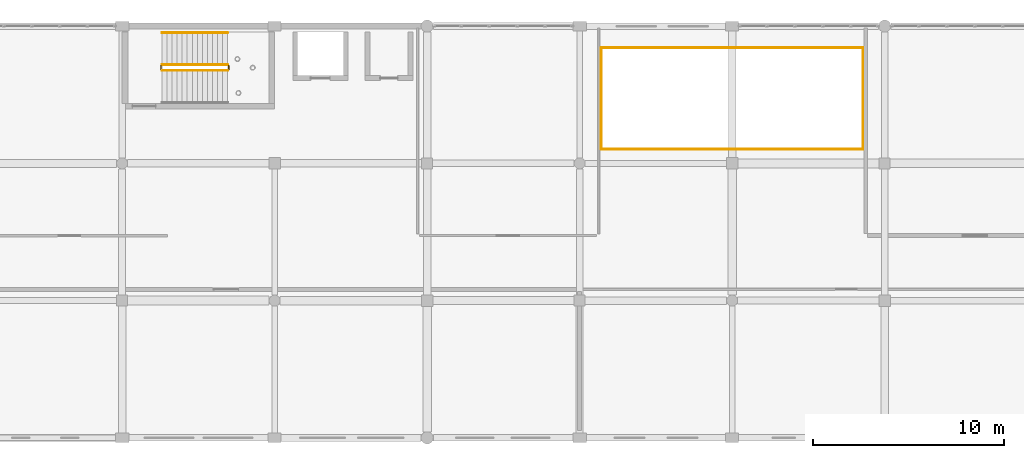
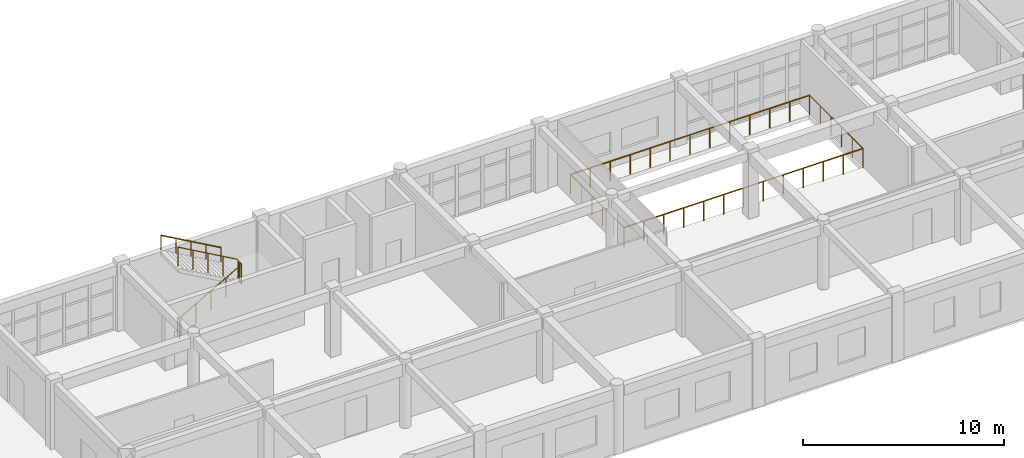
# One storey, part 49 of 53: 9 railings.
"""IFC4 building model written with IfcOpenShell, lengths in metres."""

from ifc_helpers import new_model, si_unit, direction, frame, origin, origin_2d, place, context, subcontext, project, spatial, circle, extrude, material, type_object, element, save


model = new_model("IFC4")

# Units and contexts
model_context = context("Model", 3, precision=1e-05, world=origin(), true_north=direction((0.0, 1.0)))
body_context = subcontext(model_context, "Body", "Model", "MODEL_VIEW")
ifc_project = project(units=[si_unit("LENGTHUNIT", "METRE"), si_unit("AREAUNIT", "SQUARE_METRE"), si_unit("VOLUMEUNIT", "CUBIC_METRE"), si_unit("PLANEANGLEUNIT", "RADIAN"), si_unit("MASSUNIT", "GRAM", prefix="KILO")], contexts=[model_context])

# Site, building, storey
site_placement = place(None, origin())
site = spatial("IfcSite", under=ifc_project, at=site_placement, CompositionType="ELEMENT")
building_placement = place(site_placement, origin())
building = spatial("IfcBuilding", under=site, at=building_placement, Name="Kharva Crest Polytechnic", CompositionType="ELEMENT")
storey_placement = place(building_placement, frame((0.0, 0.0, 17.39990234375)))
storey = spatial("IfcBuildingStorey", under=building, at=storey_placement, Name="L04", CompositionType="ELEMENT", Elevation=17.39990234375)

# Railings
ifc_material_1 = material(Name="Anodised aluminium", Category="aluminium")
railing_type_1 = type_object("IfcRailingType", Name="RL-STAIR-GUARD-1200", PredefinedType="GUARDRAIL", material=ifc_material_1)
railing_1_placement = place(storey_placement, frame((58.090087890625, 119.669921875, 0.150146484375)))
element("IfcRailing", 1, at=railing_1_placement, inside=storey, type_object=railing_type_1, Name="L04 ST-03 stair guard 1", PredefinedType="GUARDRAIL", context=body_context, shape_type="SweptSolid", body=[
    extrude(circle(Radius=0.02392578125, at=origin_2d()), frame((0.0, 0.0, 1.17578125), z_axis=(0.870251367514, 0.0, 0.492607914411), x_axis=(0.0, 1.0, 0.0)), (0.0, 0.0, 1.0), 3.95849609375),
    extrude(circle(Radius=0.02099609375, at=origin_2d()), origin(), (0.0, 0.0, 1.0), 1.15185546875),
    extrude(circle(Radius=0.02099609375, at=origin_2d()), frame((0.861328125, 0.0, 0.487548828125)), (0.0, 0.0, 1.0), 1.15185546875),
    extrude(circle(Radius=0.02099609375, at=origin_2d()), frame((1.722412109375, 0.0, 0.97509765625)), (0.0, 0.0, 1.0), 1.15185546875),
    extrude(circle(Radius=0.02099609375, at=origin_2d()), frame((2.58349609375, 0.0, 1.46240234375)), (0.0, 0.0, 1.0), 1.15185546875),
    extrude(circle(Radius=0.02099609375, at=origin_2d()), frame((3.44482421875, 0.0, 1.949951171875)), (0.0, 0.0, 1.0), 1.15185546875),
])
railing_2_placement = place(storey_placement, frame((61.5849609375, 119.719970703125, 2.10009765625)))
element("IfcRailing", 2, at=railing_2_placement, inside=storey, type_object=railing_type_1, Name="L04 ST-03 stair guard 2", PredefinedType="GUARDRAIL", context=body_context, shape_type="SweptSolid", body=[
    extrude(circle(Radius=0.02392578125, at=origin_2d()), frame((0.0, 0.0, 1.17578125), z_axis=(0.0, 1.0, 0.0), x_axis=(-1.0, 0.0, 0.0)), (0.0, 0.0, 1.0), 0.199951171875),
    extrude(circle(Radius=0.02099609375, at=origin_2d()), origin(), (0.0, 0.0, 1.0), 1.15185546875),
    extrude(circle(Radius=0.02099609375, at=origin_2d()), frame((0.0, 0.199951171875, 0.0)), (0.0, 0.0, 1.0), 1.15185546875),
])
railing_3_placement = place(storey_placement, frame((61.534912109375, 119.969970703125, 2.25)))
element("IfcRailing", 3, at=railing_3_placement, inside=storey, type_object=railing_type_1, Name="L04 ST-03 stair guard 3", PredefinedType="GUARDRAIL", context=body_context, shape_type="SweptSolid", body=[
    extrude(circle(Radius=0.02392578125, at=origin_2d()), frame((0.0, 0.0, 1.17578125), z_axis=(-0.870224926921, 0.0, 0.492654621987), x_axis=(0.0, -1.0, 0.0)), (0.0, 0.0, 1.0), 3.95849609375),
    extrude(circle(Radius=0.02099609375, at=origin_2d()), origin(), (0.0, 0.0, 1.0), 1.15185546875),
    extrude(circle(Radius=0.02099609375, at=origin_2d()), frame((-0.861328125, 0.0, 0.487548828125)), (0.0, 0.0, 1.0), 1.15185546875),
    extrude(circle(Radius=0.02099609375, at=origin_2d()), frame((-1.722412109375, 0.0, 0.97509765625)), (0.0, 0.0, 1.0), 1.15185546875),
    extrude(circle(Radius=0.02099609375, at=origin_2d()), frame((-2.58349609375, 0.0, 1.462646484375)), (0.0, 0.0, 1.0), 1.15185546875),
    extrude(circle(Radius=0.02099609375, at=origin_2d()), frame((-3.44482421875, 0.0, 1.9501953125)), (0.0, 0.0, 1.0), 1.15185546875),
])
railing_4_placement = place(storey_placement, frame((58.0400390625, 119.719970703125, 0.0)))
element("IfcRailing", 4, at=railing_4_placement, inside=storey, type_object=railing_type_1, Name="L04 ST-03 stair guard 4", PredefinedType="GUARDRAIL", context=body_context, shape_type="SweptSolid", body=[
    extrude(circle(Radius=0.02392578125, at=origin_2d()), frame((0.0, 0.0, 1.17578125), z_axis=(0.0, 1.0, 0.0), x_axis=(-1.0, 0.0, 0.0)), (0.0, 0.0, 1.0), 0.199951171875),
    extrude(circle(Radius=0.02099609375, at=origin_2d()), origin(), (0.0, 0.0, 1.0), 1.15185546875),
    extrude(circle(Radius=0.02099609375, at=origin_2d()), frame((0.0, 0.199951171875, 0.0)), (0.0, 0.0, 1.0), 1.15185546875),
])
ifc_material_2 = material(Name="Teak timber", Category="wood")
railing_type_2 = type_object("IfcRailingType", Name="RL-STAIR-HAND-900", PredefinedType="HANDRAIL", material=ifc_material_2)
railing_5_placement = place(storey_placement, frame((61.534912109375, 121.64990234375, 2.25)))
element("IfcRailing", 5, at=railing_5_placement, inside=storey, type_object=railing_type_2, Name="L04 ST-03 stair handrail 2", PredefinedType="HANDRAIL", context=body_context, shape_type="SweptSolid", body=[
    extrude(circle(Radius=0.02392578125, at=origin_2d()), frame((0.0, 0.0, 0.8759765625), z_axis=(-0.870224926921, 0.0, 0.492654621987), x_axis=(0.0, -1.0, 0.0)), (0.0, 0.0, 1.0), 3.95849609375),
    extrude(circle(Radius=0.02099609375, at=origin_2d()), origin(), (0.0, 0.0, 1.0), 0.851806640625),
    extrude(circle(Radius=0.02099609375, at=origin_2d()), frame((-0.861328125, 0.0, 0.487548828125)), (0.0, 0.0, 1.0), 0.851806640625),
    extrude(circle(Radius=0.02099609375, at=origin_2d()), frame((-1.722412109375, 0.0, 0.97509765625)), (0.0, 0.0, 1.0), 0.851806640625),
    extrude(circle(Radius=0.02099609375, at=origin_2d()), frame((-2.58349609375, 0.0, 1.462646484375)), (0.0, 0.0, 1.0), 0.851806640625),
    extrude(circle(Radius=0.02099609375, at=origin_2d()), frame((-3.44482421875, 0.0, 1.9501953125)), (0.0, 0.0, 1.0), 0.851806640625),
])
railing_type_3 = type_object("IfcRailingType", Name="RL-VOID-GUARD-1200", PredefinedType="GUARDRAIL", material=ifc_material_1)
railing_6_placement = place(storey_placement, frame((81.139892578125, 115.5400390625, 0.0)))
element("IfcRailing", 6, at=railing_6_placement, inside=storey, type_object=railing_type_3, Name="L04 Atrium Void Guard 33", PredefinedType="GUARDRAIL", context=body_context, shape_type="SweptSolid", body=[
    extrude(circle(Radius=0.02392578125, at=origin_2d()), frame((0.0, 0.0, 1.17578125), z_axis=(1.0, 0.0, 0.0), x_axis=(0.0, 1.0, 0.0)), (0.0, 0.0, 1.0), 13.72021484375),
    extrude(circle(Radius=0.02099609375, at=origin_2d()), origin(), (0.0, 0.0, 1.0), 1.15185546875),
    extrude(circle(Radius=0.02099609375, at=origin_2d()), frame((1.143310546875, 0.0, 0.0)), (0.0, 0.0, 1.0), 1.15185546875),
    extrude(circle(Radius=0.02099609375, at=origin_2d()), frame((2.28662109375, 0.0, 0.0)), (0.0, 0.0, 1.0), 1.15185546875),
    extrude(circle(Radius=0.02099609375, at=origin_2d()), frame((3.43017578125, 0.0, 0.0)), (0.0, 0.0, 1.0), 1.15185546875),
    extrude(circle(Radius=0.02099609375, at=origin_2d()), frame((4.573486328125, 0.0, 0.0)), (0.0, 0.0, 1.0), 1.15185546875),
    extrude(circle(Radius=0.02099609375, at=origin_2d()), frame((5.716796875, 0.0, 0.0)), (0.0, 0.0, 1.0), 1.15185546875),
    extrude(circle(Radius=0.02099609375, at=origin_2d()), frame((6.860107421875, 0.0, 0.0)), (0.0, 0.0, 1.0), 1.15185546875),
    extrude(circle(Radius=0.02099609375, at=origin_2d()), frame((8.00341796875, 0.0, 0.0)), (0.0, 0.0, 1.0), 1.15185546875),
    extrude(circle(Radius=0.02099609375, at=origin_2d()), frame((9.146728515625, 0.0, 0.0)), (0.0, 0.0, 1.0), 1.15185546875),
    extrude(circle(Radius=0.02099609375, at=origin_2d()), frame((10.2900390625, 0.0, 0.0)), (0.0, 0.0, 1.0), 1.15185546875),
    extrude(circle(Radius=0.02099609375, at=origin_2d()), frame((11.43359375, 0.0, 0.0)), (0.0, 0.0, 1.0), 1.15185546875),
    extrude(circle(Radius=0.02099609375, at=origin_2d()), frame((12.576904296875, 0.0, 0.0)), (0.0, 0.0, 1.0), 1.15185546875),
    extrude(circle(Radius=0.02099609375, at=origin_2d()), frame((13.72021484375, 0.0, 0.0)), (0.0, 0.0, 1.0), 1.15185546875),
])
railing_7_placement = place(storey_placement, frame((94.860107421875, 115.5400390625, 0.0)))
element("IfcRailing", 7, at=railing_7_placement, inside=storey, type_object=railing_type_3, Name="L04 Atrium Void Guard 34", PredefinedType="GUARDRAIL", context=body_context, shape_type="SweptSolid", body=[
    extrude(circle(Radius=0.02392578125, at=origin_2d()), frame((0.0, 0.0, 1.17578125), z_axis=(0.0, 1.0, 0.0), x_axis=(-1.0, 0.0, 0.0)), (0.0, 0.0, 1.0), 5.320068359375),
    extrude(circle(Radius=0.02099609375, at=origin_2d()), origin(), (0.0, 0.0, 1.0), 1.15185546875),
    extrude(circle(Radius=0.02099609375, at=origin_2d()), frame((0.0, 1.06396484375, 0.0)), (0.0, 0.0, 1.0), 1.15185546875),
    extrude(circle(Radius=0.02099609375, at=origin_2d()), frame((0.0, 2.1279296875, 0.0)), (0.0, 0.0, 1.0), 1.15185546875),
    extrude(circle(Radius=0.02099609375, at=origin_2d()), frame((0.0, 3.192138671875, 0.0)), (0.0, 0.0, 1.0), 1.15185546875),
    extrude(circle(Radius=0.02099609375, at=origin_2d()), frame((0.0, 4.256103515625, 0.0)), (0.0, 0.0, 1.0), 1.15185546875),
    extrude(circle(Radius=0.02099609375, at=origin_2d()), frame((0.0, 5.320068359375, 0.0)), (0.0, 0.0, 1.0), 1.15185546875),
])
railing_8_placement = place(storey_placement, frame((94.860107421875, 120.860107421875, 0.0)))
element("IfcRailing", 8, at=railing_8_placement, inside=storey, type_object=railing_type_3, Name="L04 Atrium Void Guard 35", PredefinedType="GUARDRAIL", context=body_context, shape_type="SweptSolid", body=[
    extrude(circle(Radius=0.02392578125, at=origin_2d()), frame((0.0, 0.0, 1.17578125), z_axis=(-1.0, 0.0, 0.0), x_axis=(0.0, -1.0, 0.0)), (0.0, 0.0, 1.0), 13.72021484375),
    extrude(circle(Radius=0.02099609375, at=origin_2d()), origin(), (0.0, 0.0, 1.0), 1.15185546875),
    extrude(circle(Radius=0.02099609375, at=origin_2d()), frame((-1.143310546875, 0.0, 0.0)), (0.0, 0.0, 1.0), 1.15185546875),
    extrude(circle(Radius=0.02099609375, at=origin_2d()), frame((-2.28662109375, 0.0, 0.0)), (0.0, 0.0, 1.0), 1.15185546875),
    extrude(circle(Radius=0.02099609375, at=origin_2d()), frame((-3.43017578125, 0.0, 0.0)), (0.0, 0.0, 1.0), 1.15185546875),
    extrude(circle(Radius=0.02099609375, at=origin_2d()), frame((-4.573486328125, 0.0, 0.0)), (0.0, 0.0, 1.0), 1.15185546875),
    extrude(circle(Radius=0.02099609375, at=origin_2d()), frame((-5.716796875, 0.0, 0.0)), (0.0, 0.0, 1.0), 1.15185546875),
    extrude(circle(Radius=0.02099609375, at=origin_2d()), frame((-6.860107421875, 0.0, 0.0)), (0.0, 0.0, 1.0), 1.15185546875),
    extrude(circle(Radius=0.02099609375, at=origin_2d()), frame((-8.00341796875, 0.0, 0.0)), (0.0, 0.0, 1.0), 1.15185546875),
    extrude(circle(Radius=0.02099609375, at=origin_2d()), frame((-9.146728515625, 0.0, 0.0)), (0.0, 0.0, 1.0), 1.15185546875),
    extrude(circle(Radius=0.02099609375, at=origin_2d()), frame((-10.2900390625, 0.0, 0.0)), (0.0, 0.0, 1.0), 1.15185546875),
    extrude(circle(Radius=0.02099609375, at=origin_2d()), frame((-11.43359375, 0.0, 0.0)), (0.0, 0.0, 1.0), 1.15185546875),
    extrude(circle(Radius=0.02099609375, at=origin_2d()), frame((-12.576904296875, 0.0, 0.0)), (0.0, 0.0, 1.0), 1.15185546875),
    extrude(circle(Radius=0.02099609375, at=origin_2d()), frame((-13.72021484375, 0.0, 0.0)), (0.0, 0.0, 1.0), 1.15185546875),
])
railing_9_placement = place(storey_placement, frame((81.139892578125, 120.860107421875, 0.0)))
element("IfcRailing", 9, at=railing_9_placement, inside=storey, type_object=railing_type_3, Name="L04 Atrium Void Guard 36", PredefinedType="GUARDRAIL", context=body_context, shape_type="SweptSolid", body=[
    extrude(circle(Radius=0.02392578125, at=origin_2d()), frame((0.0, 0.0, 1.17578125), z_axis=(0.0, -1.0, 0.0), x_axis=(1.0, 0.0, 0.0)), (0.0, 0.0, 1.0), 5.320068359375),
    extrude(circle(Radius=0.02099609375, at=origin_2d()), origin(), (0.0, 0.0, 1.0), 1.15185546875),
    extrude(circle(Radius=0.02099609375, at=origin_2d()), frame((0.0, -1.06396484375, 0.0)), (0.0, 0.0, 1.0), 1.15185546875),
    extrude(circle(Radius=0.02099609375, at=origin_2d()), frame((0.0, -2.1279296875, 0.0)), (0.0, 0.0, 1.0), 1.15185546875),
    extrude(circle(Radius=0.02099609375, at=origin_2d()), frame((0.0, -3.192138671875, 0.0)), (0.0, 0.0, 1.0), 1.15185546875),
    extrude(circle(Radius=0.02099609375, at=origin_2d()), frame((0.0, -4.256103515625, 0.0)), (0.0, 0.0, 1.0), 1.15185546875),
    extrude(circle(Radius=0.02099609375, at=origin_2d()), frame((0.0, -5.320068359375, 0.0)), (0.0, 0.0, 1.0), 1.15185546875),
])

save(model, "model.ifc")
